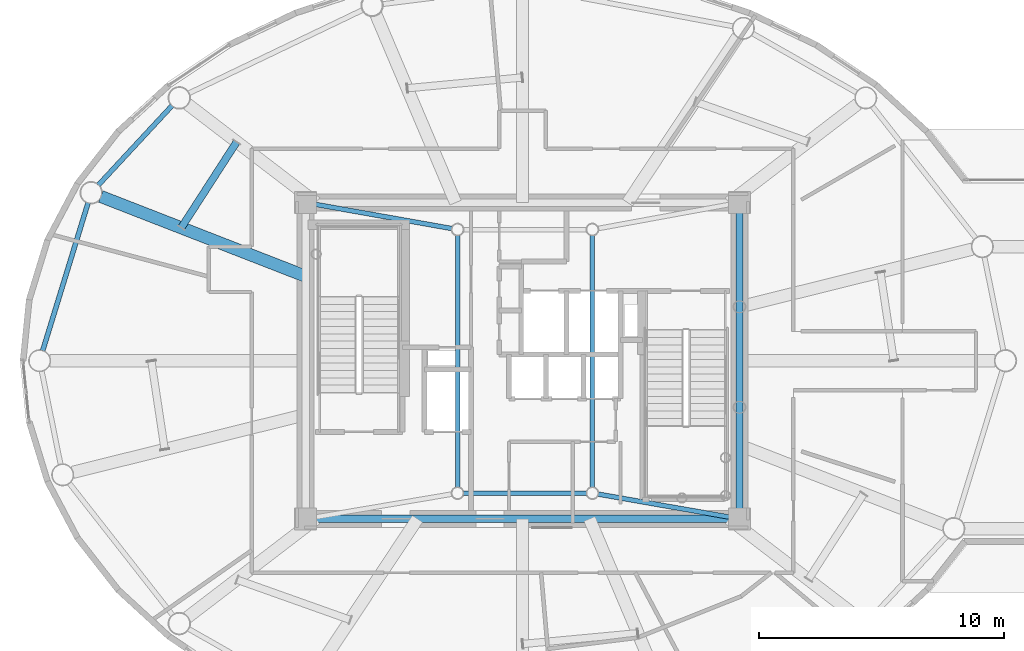
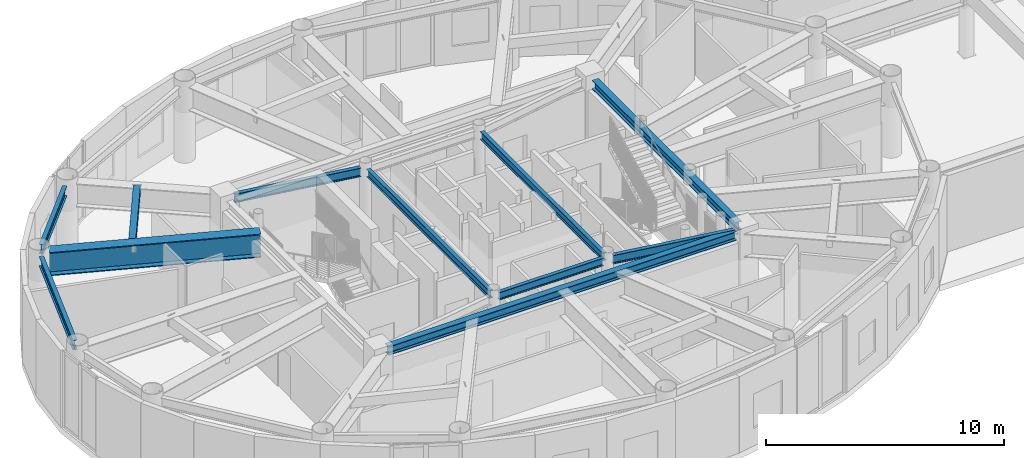
# One storey, part 7 of 26: 11 beams.
"""IFC4 building model written with IfcOpenShell, lengths in metres."""

import ifcopenshell
import ifcopenshell.guid

model = None  # the IFC model being written
_history = None  # IfcOwnerHistory: only IFC2X3 demands one
_inside = {}  # id of a spatial element -> (the spatial element, [elements in it])
_under = {}  # id of a project, library or spatial element -> (it, [spatial elements below it])
_declared = {}  # id of a project -> (the project, [libraries it declares])
_typed = {}  # id of a type object -> (the type object, [elements of that type])
_made_of = {}  # id of a material, layer set ... -> (it, [elements and type objects made of it])


def new_model(schema):
    """Start an empty IFC model of exactly this schema.

    Asked for "IFC4X3", IfcOpenShell would pick the latest addendum, in which some entities
    have other attributes; the version numbers below select the first issue.
    IFC2X3 requires an IfcOwnerHistory on every rooted entity: one is made here for all.
    """
    global model, _history
    if schema == "IFC4X3":
        model = ifcopenshell.file(schema_version=(4, 3, 0, 0))
    else:
        model = ifcopenshell.file(schema=schema)
    _inside.clear()
    _under.clear()
    _declared.clear()
    _typed.clear()
    _made_of.clear()
    _history = None
    if model.schema == "IFC2X3":
        org = make("IfcOrganization", Name="unknown")
        user = make(
            "IfcPersonAndOrganization",
            ThePerson=make("IfcPerson", FamilyName="unknown"),
            TheOrganization=org,
        )
        app = make(
            "IfcApplication",
            ApplicationDeveloper=org,
            Version="unknown",
            ApplicationFullName="unknown",
            ApplicationIdentifier="unknown",
        )
        _history = make(
            "IfcOwnerHistory",
            OwningUser=user,
            OwningApplication=app,
            ChangeAction="ADDED",
            CreationDate=0,
        )
    return model


def make(cls, **values):
    """One entity of the class cls with the attributes given. An attribute that is None is left unset."""
    return model.create_entity(
        cls, **{name: value for name, value in values.items() if value is not None}
    )


def rooted(cls, **values):
    """An entity with a GlobalId (a new one), such as an element, a storey or a relation."""
    return make(cls, GlobalId=ifcopenshell.guid.new(), OwnerHistory=_history, **values)


def si_unit(unit_type, name, prefix=None):
    """IfcSIUnit, for example si_unit("LENGTHUNIT", "METRE", prefix="MILLI")."""
    return make("IfcSIUnit", UnitType=unit_type, Prefix=prefix, Name=name)


def assignment(units):
    """IfcUnitAssignment: the units of a project."""
    return None if units is None else make("IfcUnitAssignment", Units=units)


def point(xyz):
    """IfcCartesianPoint."""
    return None if xyz is None else make("IfcCartesianPoint", Coordinates=xyz)


def direction(xyz):
    """IfcDirection."""
    return None if xyz is None else make("IfcDirection", DirectionRatios=xyz)


def frame(location, z_axis=None, x_axis=None):
    """IfcAxis2Placement3D, a coordinate frame: its origin and axes. An axis left out is left unset."""
    return make(
        "IfcAxis2Placement3D",
        Location=point(location),
        Axis=direction(z_axis),
        RefDirection=direction(x_axis),
    )


def frame_2d(location, x_axis=None):
    """IfcAxis2Placement2D, a coordinate frame in the plane: its origin and x axis."""
    return make(
        "IfcAxis2Placement2D", Location=point(location), RefDirection=direction(x_axis)
    )


def origin():
    """The frame at (0, 0, 0) with its axes left unset."""
    return frame((0.0, 0.0, 0.0))


def origin_2d():
    """The frame at (0, 0) in the plane with its x axis left unset."""
    return frame_2d((0.0, 0.0))


def place(relative_to, where):
    """IfcLocalPlacement: puts the frame where relative to a parent placement (None: the world)."""
    return make(
        "IfcLocalPlacement", PlacementRelTo=relative_to, RelativePlacement=where
    )


def context(
    kind, dimensions, precision=None, world=None, true_north=None, identifier=None
):
    """IfcGeometricRepresentationContext, for example the 3D "Model" context."""
    return make(
        "IfcGeometricRepresentationContext",
        ContextIdentifier=identifier,
        ContextType=kind,
        CoordinateSpaceDimension=dimensions,
        Precision=precision,
        WorldCoordinateSystem=world,
        TrueNorth=true_north,
    )


def subcontext(parent, identifier, kind, view, scale=None):
    """IfcGeometricRepresentationSubContext, for example "Body" below "Model"."""
    return make(
        "IfcGeometricRepresentationSubContext",
        ContextIdentifier=identifier,
        ContextType=kind,
        ParentContext=parent,
        TargetScale=scale,
        TargetView=view,
    )


def project(units=None, contexts=None):
    """IfcProject with its units and contexts."""
    return rooted(
        "IfcProject",
        Name="project",
        RepresentationContexts=contexts,
        UnitsInContext=assignment(units),
    )


def spatial(cls, under=None, at=None, **own):
    """A site, building, storey or space (cls), placed at a placement, below another one or the project."""
    s = rooted(cls, ObjectPlacement=at, **own)
    if under is not None:
        _under.setdefault(under.id(), (under, []))[1].append(s)
    return s


def profile(cls, at=None, kind="AREA", **sizes):
    """A parametric profile (cls). Its sizes go by their IFC names, for example OverallWidth=200.0."""
    return make(cls, ProfileType=kind, Position=at, **sizes)


def hollow_rectangle(**sizes):
    """IfcRectangleHollowProfileDef."""
    return profile("IfcRectangleHollowProfileDef", **sizes)


def i_section(**sizes):
    """IfcIShapeProfileDef."""
    return profile("IfcIShapeProfileDef", **sizes)


def extrude(swept, where, along, depth):
    """IfcExtrudedAreaSolid: the profile swept, set in the frame where, extruded along a direction by depth."""
    return make(
        "IfcExtrudedAreaSolid",
        SweptArea=swept,
        Position=where,
        ExtrudedDirection=direction(along),
        Depth=depth,
    )


def shape(context_of_items, identifier, shape_type, items):
    """IfcShapeRepresentation: the items that make up one representation, for example the "Body"."""
    return make(
        "IfcShapeRepresentation",
        ContextOfItems=context_of_items,
        RepresentationIdentifier=identifier,
        RepresentationType=shape_type,
        Items=items,
    )


def material(Name=None, Category=None):
    """IfcMaterial."""
    return make("IfcMaterial", Name=Name, Category=Category)


def material_profile(
    of_material, cross_section, Name=None, Category=None, Priority=None
):
    """IfcMaterialProfile: a cross section and its material."""
    return make(
        "IfcMaterialProfile",
        Name=Name,
        Material=of_material,
        Profile=cross_section,
        Priority=Priority,
        Category=Category,
    )


def profile_set(profiles, Name=None, composite=None):
    """IfcMaterialProfileSet."""
    return make(
        "IfcMaterialProfileSet",
        Name=Name,
        MaterialProfiles=profiles,
        CompositeProfile=composite,
    )


def made_of(thing, what):
    """Note that an element or type object is made of a material, layer set ...; save() writes the relation."""
    if what is not None:
        _made_of.setdefault(what.id(), (what, []))[1].append(thing)
    return thing


def type_object(cls, material=None, **own):
    """A type object (cls), such as IfcWallType, which elements share."""
    return made_of(rooted(cls, **own), material)


def element(
    cls,
    number,
    at=None,
    inside=None,
    cuts=None,
    type_object=None,
    material=None,
    context=None,
    identifier="Body",
    shape_type=None,
    held_by="IfcProductDefinitionShape",
    body=None,
    shapes=None,
    **own,
):
    """One element of the class cls, such as IfcWall. Its Tag is "e" and its number.

    at: its placement. inside: the storey or other place that contains it. cuts: it is an
    opening in that element (IfcRelVoidsElement). A single representation is given by context,
    identifier, shape_type and body (its items); several are given by shapes. held_by: the class
    of the entity that holds the representations. save() writes the other relations.
    """
    e = rooted(cls, Tag="e%d" % number, ObjectPlacement=at, **own)
    if body is not None:
        shapes = [shape(context, identifier, shape_type, body)]
    if shapes is not None:
        e.Representation = make(held_by, Representations=shapes)
    if inside is not None:
        _inside.setdefault(inside.id(), (inside, []))[1].append(e)
    if cuts is not None:
        rooted(
            "IfcRelVoidsElement", RelatingBuildingElement=cuts, RelatedOpeningElement=e
        )
    if type_object is not None:
        _typed.setdefault(type_object.id(), (type_object, []))[1].append(e)
    return made_of(e, material)


def aggregate(whole, parts):
    """IfcRelAggregates: a whole, such as a stair, and the parts it consists of."""
    return rooted("IfcRelAggregates", RelatingObject=whole, RelatedObjects=parts)


def save(model, path):
    """Write the relations noted so far, then the file.

    IfcRelAggregates (storeys below a building ...), IfcRelContainedInSpatialStructure (elements
    in a storey), IfcRelDefinesByType, IfcRelAssociatesMaterial and IfcRelDeclares: one each for
    every whole, place, type object, material and project.
    """
    for whole, parts in _under.values():
        aggregate(whole, parts)
    for where, things in _inside.values():
        rooted(
            "IfcRelContainedInSpatialStructure",
            RelatedElements=things,
            RelatingStructure=where,
        )
    for kind, things in _typed.values():
        rooted("IfcRelDefinesByType", RelatedObjects=things, RelatingType=kind)
    for what, things in _made_of.values():
        rooted("IfcRelAssociatesMaterial", RelatedObjects=things, RelatingMaterial=what)
    for by, libraries in _declared.values():
        rooted("IfcRelDeclares", RelatingContext=by, RelatedDefinitions=libraries)
    model.write(path)


model = new_model("IFC4")

# Units and contexts
model_context = context("Model", 3, precision=1e-05, world=origin(), true_north=direction((0.0, 1.0)))
body_context = subcontext(model_context, "Body", "Model", "MODEL_VIEW")
ifc_project = project(units=[si_unit("LENGTHUNIT", "METRE"), si_unit("AREAUNIT", "SQUARE_METRE"), si_unit("VOLUMEUNIT", "CUBIC_METRE"), si_unit("PLANEANGLEUNIT", "RADIAN"), si_unit("MASSUNIT", "GRAM", prefix="KILO")], contexts=[model_context])

# Site, building, storey
site_placement = place(None, origin())
site = spatial("IfcSite", under=ifc_project, at=site_placement, CompositionType="ELEMENT")
building_placement = place(site_placement, origin())
building = spatial("IfcBuilding", under=site, at=building_placement, Name="Linh Dai School and Residence Tower", CompositionType="ELEMENT")
storey_placement = place(building_placement, frame((0.0, 0.0, 346.800048828125)))
storey = spatial("IfcBuildingStorey", under=building, at=storey_placement, Name="L86", CompositionType="ELEMENT", Elevation=346.800048828125)

# Beams
ifc_material = material(Name="Structural Steel S355JR", Category="steel")
ifc_material_profile_1 = material_profile(ifc_material, hollow_rectangle(XDim=0.300048828125, YDim=0.5, WallThickness=0.01611328125, at=origin_2d()), Name="RHS 500x300x16")
ifc_profile_set_1 = profile_set([ifc_material_profile_1], Name="Structural Steel S355JR")
beam_type_1 = type_object("IfcBeamType", Name="BM-BX5", PredefinedType="BEAM", material=ifc_profile_set_1)
beam_1_placement = place(storey_placement, frame((24.33837890625, 35.924072265625, 3.64990234375), z_axis=(-0.542324541187, -0.840169085379, 0.0), x_axis=(0.840169085379, -0.542324541187, 0.0)))
element("IfcBeam", 1, at=beam_1_placement, inside=storey, type_object=beam_type_1, Name="L86 Secondary Circumferential Floor Beam 04", PredefinedType="BEAM", context=body_context, shape_type="SweptSolid", body=[
    extrude(hollow_rectangle(XDim=0.300048828125, YDim=0.5, WallThickness=0.01611328125, at=origin_2d()), origin(), (0.0, 0.0, 1.0), 4.163330078125),
])
ifc_material_profile_2 = material_profile(ifc_material, i_section(OverallWidth=0.199951171875, OverallDepth=0.5, WebThickness=0.01025390625, FlangeThickness=0.01611328125, FilletRadius=0.02099609375, at=origin_2d()), Name="IPE 500")
ifc_profile_set_2 = profile_set([ifc_material_profile_2], Name="Structural Steel S355JR")
beam_type_2 = type_object("IfcBeamType", Name="BM-RB50", PredefinedType="BEAM", material=ifc_profile_set_2)
beam_2_placement = place(storey_placement, frame((21.7119140625, 37.4150390625, 3.64990234375), z_axis=(-0.680339330162, -0.732897261446, 0.0), x_axis=(0.732897261446, -0.680339330162, 0.0)))
element("IfcBeam", 2, at=beam_2_placement, inside=storey, type_object=beam_type_2, Name="L86 Perimeter Elliptical Ring Beam 07", PredefinedType="BEAM", context=body_context, shape_type="SweptSolid", body=[
    extrude(i_section(OverallWidth=0.199951171875, OverallDepth=0.5, WebThickness=0.01025390625, FlangeThickness=0.01611328125, FilletRadius=0.02099609375, at=origin_2d()), origin(), (0.0, 0.0, 1.0), 4.440673828125),
])
beam_3_placement = place(storey_placement, frame((18.281494140625, 33.451171875, 3.64990234375), z_axis=(-0.293606003102, -0.955926521728, 0.0), x_axis=(0.955926521728, -0.293606003102, 0.0)))
element("IfcBeam", 3, at=beam_3_placement, inside=storey, type_object=beam_type_2, Name="L86 Perimeter Elliptical Ring Beam 08", PredefinedType="BEAM", context=body_context, shape_type="SweptSolid", body=[
    extrude(i_section(OverallWidth=0.199951171875, OverallDepth=0.5, WebThickness=0.01025390625, FlangeThickness=0.01611328125, FilletRadius=0.02099609375, at=origin_2d()), origin(), (0.0, 0.0, 1.0), 6.32861328125),
])
ifc_material_profile_3 = material_profile(ifc_material, i_section(OverallWidth=0.300048828125, OverallDepth=0.449951171875, WebThickness=0.013916015625, FlangeThickness=0.02587890625, FilletRadius=0.027099609375, at=origin_2d()), Name="HEB 450")
ifc_profile_set_3 = profile_set([ifc_material_profile_3], Name="Structural Steel S355JR")
beam_type_3 = type_object("IfcBeamType", Name="BM-RG45", PredefinedType="BEAM", material=ifc_profile_set_3)
beam_4_placement = place(storey_placement, frame((27.570068359375, 20.550048828125, 3.675048828125), z_axis=(1.0, 0.0, 0.0), x_axis=(0.0, 1.0, 0.0)))
element("IfcBeam", 4, at=beam_4_placement, inside=storey, type_object=beam_type_3, Name="L86 Core Perimeter Coupling Girder 1", PredefinedType="BEAM", context=body_context, shape_type="SweptSolid", body=[
    extrude(i_section(OverallWidth=0.300048828125, OverallDepth=0.449951171875, WebThickness=0.013916015625, FlangeThickness=0.02587890625, FilletRadius=0.027099609375, at=origin_2d()), origin(), (0.0, 0.0, 1.0), 16.85986328125),
])
beam_5_placement = place(storey_placement, frame((44.85009765625, 20.969970703125, 3.675048828125), z_axis=(0.0, 1.0, 0.0), x_axis=(-1.0, 0.0, 0.0)))
element("IfcBeam", 5, at=beam_5_placement, inside=storey, type_object=beam_type_3, Name="L86 Core Perimeter Coupling Girder 2", PredefinedType="BEAM", context=body_context, shape_type="SweptSolid", body=[
    extrude(i_section(OverallWidth=0.300048828125, OverallDepth=0.449951171875, WebThickness=0.013916015625, FlangeThickness=0.02587890625, FilletRadius=0.027099609375, at=origin_2d()), origin(), (0.0, 0.0, 1.0), 12.06005859375),
])
ifc_material_profile_4 = material_profile(ifc_material, i_section(OverallWidth=0.179931640625, OverallDepth=0.39990234375, WebThickness=0.008544921875, FlangeThickness=0.013427734375, FilletRadius=0.02099609375, at=origin_2d()), Name="IPE 400")
ifc_profile_set_4 = profile_set([ifc_material_profile_4], Name="Structural Steel S355JR")
beam_type_4 = type_object("IfcBeamType", Name="BM-SB40", PredefinedType="BEAM", material=ifc_profile_set_4)
beam_6_placement = place(storey_placement, frame((33.573974609375, 21.60009765625, 3.699951171875), z_axis=(1.0, 0.0, 0.0), x_axis=(0.0, 1.0, 0.0)))
element("IfcBeam", 6, at=beam_6_placement, inside=storey, type_object=beam_type_4, Name="L86 Core Mast Pier Tie Beam 1", PredefinedType="BEAM", context=body_context, shape_type="SweptSolid", body=[
    extrude(i_section(OverallWidth=0.179931640625, OverallDepth=0.39990234375, WebThickness=0.008544921875, FlangeThickness=0.013427734375, FilletRadius=0.02099609375, at=origin_2d()), origin(), (0.0, 0.0, 1.0), 5.052001953125),
])
for number, where, z_axis, x_axis, name in (
    (7, (38.85009765625, 21.823974609375, 3.699951171875), (0.0, 1.0, 0.0), (-1.0, 0.0, 0.0), "L86 Core Mast Pier Tie Beam 2"),
    (8, (33.35009765625, 32.1259765625, 3.699951171875), (0.0, -1.0, 0.0), (1.0, 0.0, 0.0), "L86 Core Mast Pier Tie Beam 4"),
):
    element("IfcBeam", number, at=place(storey_placement, frame(where, z_axis=z_axis, x_axis=x_axis)), inside=storey, type_object=beam_type_4, Name=name, PredefinedType="BEAM", context=body_context, shape_type="SweptSolid", body=[
        extrude(i_section(OverallWidth=0.179931640625, OverallDepth=0.39990234375, WebThickness=0.008544921875, FlangeThickness=0.013427734375, FilletRadius=0.02099609375, at=origin_2d()), origin(), (0.0, 0.0, 1.0), 10.302001953125),
    ])
ifc_material_profile_5 = material_profile(ifc_material, i_section(OverallWidth=0.18994140625, OverallDepth=0.449951171875, WebThickness=0.009521484375, FlangeThickness=0.0146484375, FilletRadius=0.02099609375, at=origin_2d()), Name="IPE 450")
ifc_profile_set_5 = profile_set([ifc_material_profile_5], Name="Structural Steel S355JR")
beam_type_5 = type_object("IfcBeamType", Name="BM-SB45", PredefinedType="BEAM", material=ifc_profile_set_5)
beam_7_placement = place(storey_placement, frame((44.436279296875, 20.622314453125, 3.675048828125), z_axis=(-0.985031608673, 0.17237380867, 0.0), x_axis=(-0.17237380867, -0.985031608673, 0.0)))
element("IfcBeam", 9, at=beam_7_placement, inside=storey, type_object=beam_type_5, Name="L86 Core Corner-to-Mast Pier Beam 2", PredefinedType="BEAM", context=body_context, shape_type="SweptSolid", body=[
    extrude(i_section(OverallWidth=0.18994140625, OverallDepth=0.449951171875, WebThickness=0.009521484375, FlangeThickness=0.0146484375, FilletRadius=0.02099609375, at=origin_2d()), origin(), (0.0, 0.0, 1.0), 5.447265625),
])
beam_8_placement = place(storey_placement, frame((27.5634765625, 33.376708984375, 3.675048828125), z_axis=(0.984621828197, -0.174699328672, 0.0), x_axis=(0.174699328672, 0.984621828197, 0.0)))
element("IfcBeam", 10, at=beam_8_placement, inside=storey, type_object=beam_type_5, Name="L86 Core Corner-to-Mast Pier Beam 4", PredefinedType="BEAM", context=body_context, shape_type="SweptSolid", body=[
    extrude(i_section(OverallWidth=0.18994140625, OverallDepth=0.449951171875, WebThickness=0.009521484375, FlangeThickness=0.0146484375, FilletRadius=0.02099609375, at=origin_2d()), origin(), (0.0, 0.0, 1.0), 5.65283203125),
])
ifc_material_profile_6 = material_profile(ifc_material, i_section(OverallWidth=0.5, OverallDepth=1.199951171875, WebThickness=0.02392578125, FlangeThickness=0.044921875, at=origin_2d()), Name="PG 1200x500x24x45")
ifc_profile_set_6 = profile_set([ifc_material_profile_6], Name="Structural Steel S355JR")
beam_type_6 = type_object("IfcBeamType", Name="BM-TG12", PredefinedType="BEAM", material=ifc_profile_set_6)
beam_9_placement = place(storey_placement, frame((27.14990234375, 30.44677734375, 3.300048828125), z_axis=(-0.931822607816, 0.362914077384, 0.0), x_axis=(-0.362914077384, -0.931822607816, 0.0)))
element("IfcBeam", 11, at=beam_9_placement, inside=storey, type_object=beam_type_6, Name="L86 Primary Radial Floor Girder 08", PredefinedType="BEAM", context=body_context, shape_type="SweptSolid", body=[
    extrude(i_section(OverallWidth=0.5, OverallDepth=1.199951171875, WebThickness=0.02392578125, FlangeThickness=0.044921875, at=origin_2d()), origin(), (0.0, 0.0, 1.0), 8.964599609375),
])

save(model, "model.ifc")
